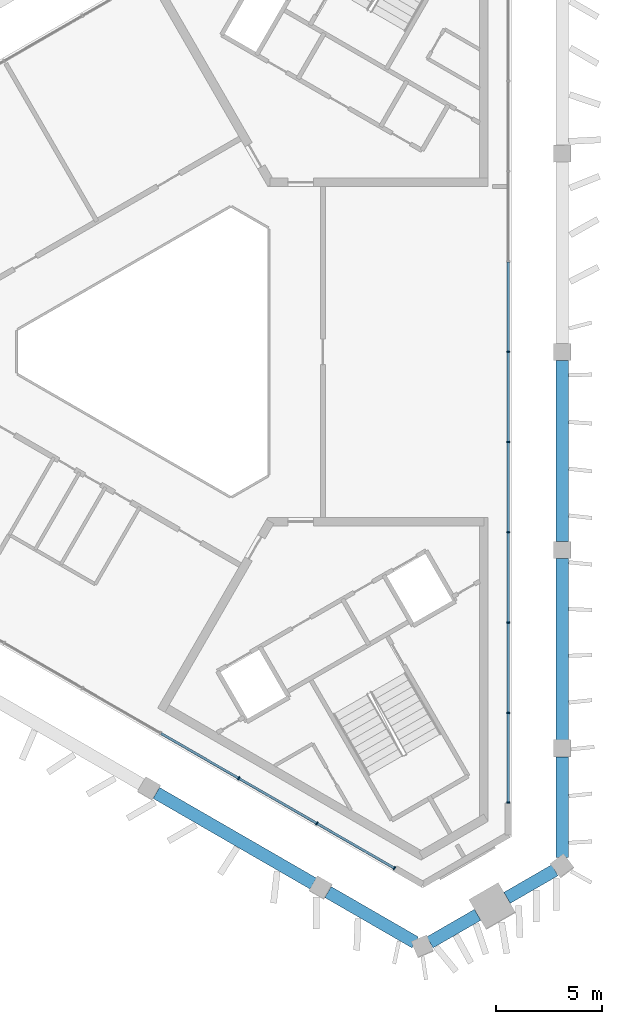
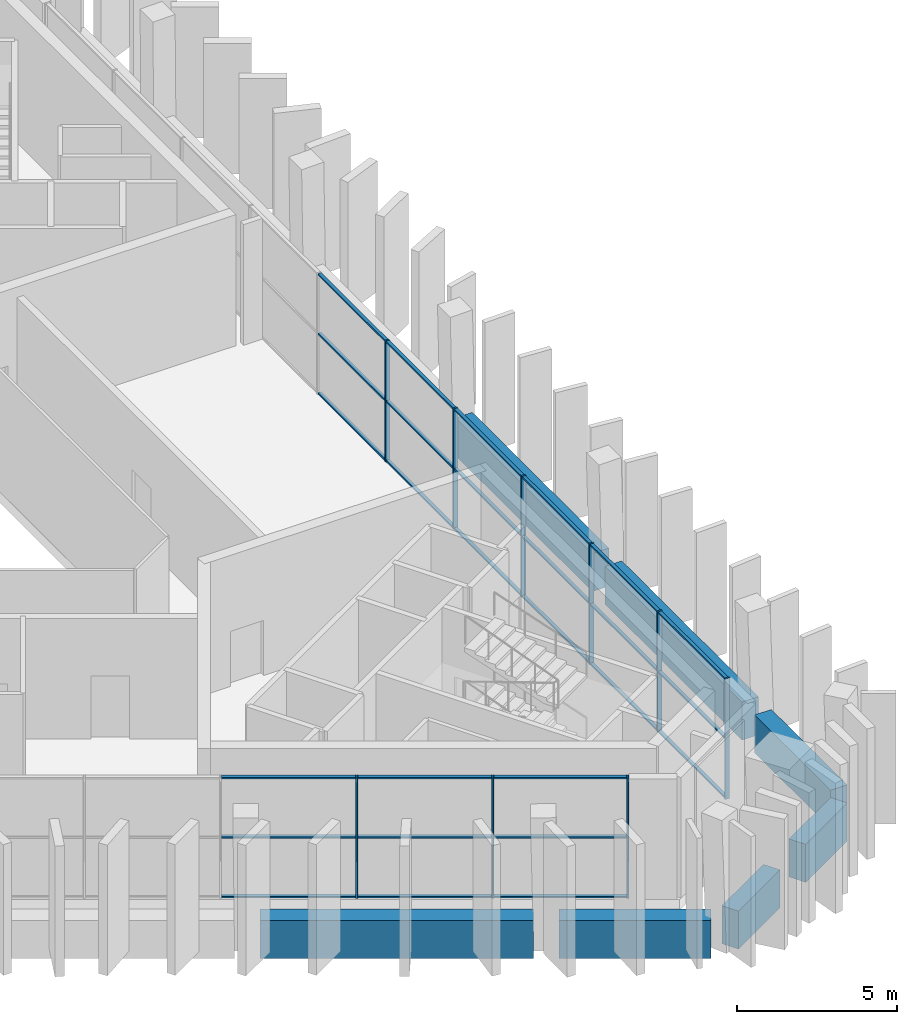
# One storey, part 4 of 13: 36 members, 7 beams, 2 elements without a shape of their own.
"""IFC4 building model written with IfcOpenShell, lengths in metres."""

import ifcopenshell
import ifcopenshell.guid

model = None  # the IFC model being written
_history = None  # IfcOwnerHistory: only IFC2X3 demands one
_inside = {}  # id of a spatial element -> (the spatial element, [elements in it])
_under = {}  # id of a project, library or spatial element -> (it, [spatial elements below it])
_declared = {}  # id of a project -> (the project, [libraries it declares])
_typed = {}  # id of a type object -> (the type object, [elements of that type])
_made_of = {}  # id of a material, layer set ... -> (it, [elements and type objects made of it])


def new_model(schema):
    """Start an empty IFC model of exactly this schema.

    Asked for "IFC4X3", IfcOpenShell would pick the latest addendum, in which some entities
    have other attributes; the version numbers below select the first issue.
    IFC2X3 requires an IfcOwnerHistory on every rooted entity: one is made here for all.
    """
    global model, _history
    if schema == "IFC4X3":
        model = ifcopenshell.file(schema_version=(4, 3, 0, 0))
    else:
        model = ifcopenshell.file(schema=schema)
    _inside.clear()
    _under.clear()
    _declared.clear()
    _typed.clear()
    _made_of.clear()
    _history = None
    if model.schema == "IFC2X3":
        org = make("IfcOrganization", Name="unknown")
        user = make(
            "IfcPersonAndOrganization",
            ThePerson=make("IfcPerson", FamilyName="unknown"),
            TheOrganization=org,
        )
        app = make(
            "IfcApplication",
            ApplicationDeveloper=org,
            Version="unknown",
            ApplicationFullName="unknown",
            ApplicationIdentifier="unknown",
        )
        _history = make(
            "IfcOwnerHistory",
            OwningUser=user,
            OwningApplication=app,
            ChangeAction="ADDED",
            CreationDate=0,
        )
    return model


def make(cls, **values):
    """One entity of the class cls with the attributes given. An attribute that is None is left unset."""
    return model.create_entity(
        cls, **{name: value for name, value in values.items() if value is not None}
    )


def rooted(cls, **values):
    """An entity with a GlobalId (a new one), such as an element, a storey or a relation."""
    return make(cls, GlobalId=ifcopenshell.guid.new(), OwnerHistory=_history, **values)


def si_unit(unit_type, name, prefix=None):
    """IfcSIUnit, for example si_unit("LENGTHUNIT", "METRE", prefix="MILLI")."""
    return make("IfcSIUnit", UnitType=unit_type, Prefix=prefix, Name=name)


def assignment(units):
    """IfcUnitAssignment: the units of a project."""
    return None if units is None else make("IfcUnitAssignment", Units=units)


def point(xyz):
    """IfcCartesianPoint."""
    return None if xyz is None else make("IfcCartesianPoint", Coordinates=xyz)


def direction(xyz):
    """IfcDirection."""
    return None if xyz is None else make("IfcDirection", DirectionRatios=xyz)


def frame(location, z_axis=None, x_axis=None):
    """IfcAxis2Placement3D, a coordinate frame: its origin and axes. An axis left out is left unset."""
    return make(
        "IfcAxis2Placement3D",
        Location=point(location),
        Axis=direction(z_axis),
        RefDirection=direction(x_axis),
    )


def frame_2d(location, x_axis=None):
    """IfcAxis2Placement2D, a coordinate frame in the plane: its origin and x axis."""
    return make(
        "IfcAxis2Placement2D", Location=point(location), RefDirection=direction(x_axis)
    )


def origin():
    """The frame at (0, 0, 0) with its axes left unset."""
    return frame((0.0, 0.0, 0.0))


def origin_2d():
    """The frame at (0, 0) in the plane with its x axis left unset."""
    return frame_2d((0.0, 0.0))


def place(relative_to, where):
    """IfcLocalPlacement: puts the frame where relative to a parent placement (None: the world)."""
    return make(
        "IfcLocalPlacement", PlacementRelTo=relative_to, RelativePlacement=where
    )


def context(
    kind, dimensions, precision=None, world=None, true_north=None, identifier=None
):
    """IfcGeometricRepresentationContext, for example the 3D "Model" context."""
    return make(
        "IfcGeometricRepresentationContext",
        ContextIdentifier=identifier,
        ContextType=kind,
        CoordinateSpaceDimension=dimensions,
        Precision=precision,
        WorldCoordinateSystem=world,
        TrueNorth=true_north,
    )


def subcontext(parent, identifier, kind, view, scale=None):
    """IfcGeometricRepresentationSubContext, for example "Body" below "Model"."""
    return make(
        "IfcGeometricRepresentationSubContext",
        ContextIdentifier=identifier,
        ContextType=kind,
        ParentContext=parent,
        TargetScale=scale,
        TargetView=view,
    )


def project(units=None, contexts=None):
    """IfcProject with its units and contexts."""
    return rooted(
        "IfcProject",
        Name="project",
        RepresentationContexts=contexts,
        UnitsInContext=assignment(units),
    )


def spatial(cls, under=None, at=None, **own):
    """A site, building, storey or space (cls), placed at a placement, below another one or the project."""
    s = rooted(cls, ObjectPlacement=at, **own)
    if under is not None:
        _under.setdefault(under.id(), (under, []))[1].append(s)
    return s


def profile(cls, at=None, kind="AREA", **sizes):
    """A parametric profile (cls). Its sizes go by their IFC names, for example OverallWidth=200.0."""
    return make(cls, ProfileType=kind, Position=at, **sizes)


def rectangle(**sizes):
    """IfcRectangleProfileDef."""
    return profile("IfcRectangleProfileDef", **sizes)


def extrude(swept, where, along, depth):
    """IfcExtrudedAreaSolid: the profile swept, set in the frame where, extruded along a direction by depth."""
    return make(
        "IfcExtrudedAreaSolid",
        SweptArea=swept,
        Position=where,
        ExtrudedDirection=direction(along),
        Depth=depth,
    )


def shape(context_of_items, identifier, shape_type, items):
    """IfcShapeRepresentation: the items that make up one representation, for example the "Body"."""
    return make(
        "IfcShapeRepresentation",
        ContextOfItems=context_of_items,
        RepresentationIdentifier=identifier,
        RepresentationType=shape_type,
        Items=items,
    )


def material(Name=None, Category=None):
    """IfcMaterial."""
    return make("IfcMaterial", Name=Name, Category=Category)


def layer(
    of_material, thickness, ventilated=None, Name=None, Category=None, Priority=None
):
    """IfcMaterialLayer: one layer of a wall or slab, of a material (None: an air gap)."""
    return make(
        "IfcMaterialLayer",
        Material=of_material,
        LayerThickness=thickness,
        IsVentilated=ventilated,
        Name=Name,
        Category=Category,
        Priority=Priority,
    )


def layer_set(layers, Name=None):
    """IfcMaterialLayerSet."""
    return make("IfcMaterialLayerSet", MaterialLayers=layers, LayerSetName=Name)


def material_profile(
    of_material, cross_section, Name=None, Category=None, Priority=None
):
    """IfcMaterialProfile: a cross section and its material."""
    return make(
        "IfcMaterialProfile",
        Name=Name,
        Material=of_material,
        Profile=cross_section,
        Priority=Priority,
        Category=Category,
    )


def profile_set(profiles, Name=None, composite=None):
    """IfcMaterialProfileSet."""
    return make(
        "IfcMaterialProfileSet",
        Name=Name,
        MaterialProfiles=profiles,
        CompositeProfile=composite,
    )


def made_of(thing, what):
    """Note that an element or type object is made of a material, layer set ...; save() writes the relation."""
    if what is not None:
        _made_of.setdefault(what.id(), (what, []))[1].append(thing)
    return thing


def type_object(cls, material=None, **own):
    """A type object (cls), such as IfcWallType, which elements share."""
    return made_of(rooted(cls, **own), material)


def element(
    cls,
    number,
    at=None,
    inside=None,
    cuts=None,
    type_object=None,
    material=None,
    context=None,
    identifier="Body",
    shape_type=None,
    held_by="IfcProductDefinitionShape",
    body=None,
    shapes=None,
    **own,
):
    """One element of the class cls, such as IfcWall. Its Tag is "e" and its number.

    at: its placement. inside: the storey or other place that contains it. cuts: it is an
    opening in that element (IfcRelVoidsElement). A single representation is given by context,
    identifier, shape_type and body (its items); several are given by shapes. held_by: the class
    of the entity that holds the representations. save() writes the other relations.
    """
    e = rooted(cls, Tag="e%d" % number, ObjectPlacement=at, **own)
    if body is not None:
        shapes = [shape(context, identifier, shape_type, body)]
    if shapes is not None:
        e.Representation = make(held_by, Representations=shapes)
    if inside is not None:
        _inside.setdefault(inside.id(), (inside, []))[1].append(e)
    if cuts is not None:
        rooted(
            "IfcRelVoidsElement", RelatingBuildingElement=cuts, RelatedOpeningElement=e
        )
    if type_object is not None:
        _typed.setdefault(type_object.id(), (type_object, []))[1].append(e)
    return made_of(e, material)


def aggregate(whole, parts):
    """IfcRelAggregates: a whole, such as a stair, and the parts it consists of."""
    return rooted("IfcRelAggregates", RelatingObject=whole, RelatedObjects=parts)


def save(model, path):
    """Write the relations noted so far, then the file.

    IfcRelAggregates (storeys below a building ...), IfcRelContainedInSpatialStructure (elements
    in a storey), IfcRelDefinesByType, IfcRelAssociatesMaterial and IfcRelDeclares: one each for
    every whole, place, type object, material and project.
    """
    for whole, parts in _under.values():
        aggregate(whole, parts)
    for where, things in _inside.values():
        rooted(
            "IfcRelContainedInSpatialStructure",
            RelatedElements=things,
            RelatingStructure=where,
        )
    for kind, things in _typed.values():
        rooted("IfcRelDefinesByType", RelatedObjects=things, RelatingType=kind)
    for what, things in _made_of.values():
        rooted("IfcRelAssociatesMaterial", RelatedObjects=things, RelatingMaterial=what)
    for by, libraries in _declared.values():
        rooted("IfcRelDeclares", RelatingContext=by, RelatedDefinitions=libraries)
    model.write(path)


model = new_model("IFC4")

# Units and contexts
model_context = context("Model", 3, precision=1e-05, world=origin(), true_north=direction((0.0, 1.0)))
body_context = subcontext(model_context, "Body", "Model", "MODEL_VIEW")
ifc_project = project(units=[si_unit("LENGTHUNIT", "METRE"), si_unit("AREAUNIT", "SQUARE_METRE"), si_unit("VOLUMEUNIT", "CUBIC_METRE"), si_unit("PLANEANGLEUNIT", "RADIAN"), si_unit("MASSUNIT", "GRAM", prefix="KILO")], contexts=[model_context])

# Site, building, storey
site_placement = place(None, origin())
site = spatial("IfcSite", under=ifc_project, at=site_placement, CompositionType="ELEMENT")
building_placement = place(site_placement, origin())
building = spatial("IfcBuilding", under=site, at=building_placement, Name="Jabali Bay Hotel Tower and Convention Centre", CompositionType="ELEMENT")
storey_placement = place(building_placement, frame((0.0, 0.0, 310.800048828125)))
storey = spatial("IfcBuildingStorey", under=building, at=storey_placement, Name="L76", CompositionType="ELEMENT", Elevation=310.800048828125)

# Curtain wall, members
ifc_material_1 = material(Name="Aluminium and glass", Category="aluminium")
ifc_layer = layer(ifc_material_1, 0.159912109375)
ifc_layer_set = layer_set([ifc_layer], Name="Aluminium and glass")
curtain_wall_type = type_object("IfcCurtainWallType", Name="CW3 curtain wall", PredefinedType="NOTDEFINED", material=ifc_layer_set)
curtain_wall_1_placement = place(storey_placement, origin())
curtain_wall_1 = element("IfcCurtainWall", 1, at=curtain_wall_1_placement, inside=storey, type_object=curtain_wall_type, Name="CW3 curtain wall east face L76", PredefinedType="NOTDEFINED")
ifc_material_2 = material(Name="Aluminium", Category="aluminium")
ifc_material_profile_1 = material_profile(ifc_material_2, rectangle(XDim=0.159912109375, YDim=0.06005859375, at=origin_2d()), Name="CW3 mullion 60 x 160")
ifc_profile_set_1 = profile_set([ifc_material_profile_1], Name="Aluminium")
member_type_1 = type_object("IfcMemberType", Name="CW3 mullion 60 x 160", PredefinedType="MULLION", material=ifc_profile_set_1)
member_1_placement = place(storey_placement, frame((90.8310546875, 80.0, 0.0), z_axis=(0.0, 0.0, 1.0), x_axis=(1.0, 0.0, 0.0)))
member_1 = element("IfcMember", 2, at=member_1_placement, type_object=member_type_1, Name="CW3 mullion 6", PredefinedType="MULLION", context=body_context, shape_type="SweptSolid", body=[
    extrude(rectangle(XDim=0.159912109375, YDim=0.06005859375, at=origin_2d()), origin(), (0.0, 0.0, 1.0), 4.599853515625),
])
member_2_placement = place(storey_placement, frame((90.8310546875, 75.747314453125, 0.0), z_axis=(0.0, 0.0, 1.0), x_axis=(1.0, 0.0, 0.0)))
member_2 = element("IfcMember", 3, at=member_2_placement, type_object=member_type_1, Name="CW3 mullion 7", PredefinedType="MULLION", context=body_context, shape_type="SweptSolid", body=[
    extrude(rectangle(XDim=0.159912109375, YDim=0.06005859375, at=origin_2d()), origin(), (0.0, 0.0, 1.0), 4.599853515625),
])
member_3_placement = place(storey_placement, frame((90.8310546875, 71.49462890625, 0.0), z_axis=(0.0, 0.0, 1.0), x_axis=(1.0, 0.0, 0.0)))
member_3 = element("IfcMember", 4, at=member_3_placement, type_object=member_type_1, Name="CW3 mullion 8", PredefinedType="MULLION", context=body_context, shape_type="SweptSolid", body=[
    extrude(rectangle(XDim=0.159912109375, YDim=0.06005859375, at=origin_2d()), origin(), (0.0, 0.0, 1.0), 4.599853515625),
])
member_4_placement = place(storey_placement, frame((90.8310546875, 67.241943359375, 0.0), z_axis=(0.0, 0.0, 1.0), x_axis=(1.0, 0.0, 0.0)))
member_4 = element("IfcMember", 5, at=member_4_placement, type_object=member_type_1, Name="CW3 mullion 9", PredefinedType="MULLION", context=body_context, shape_type="SweptSolid", body=[
    extrude(rectangle(XDim=0.159912109375, YDim=0.06005859375, at=origin_2d()), origin(), (0.0, 0.0, 1.0), 4.599853515625),
])
member_5_placement = place(storey_placement, frame((90.8310546875, 62.9892578125, 0.0), z_axis=(0.0, 0.0, 1.0), x_axis=(1.0, 0.0, 0.0)))
member_5 = element("IfcMember", 6, at=member_5_placement, type_object=member_type_1, Name="CW3 mullion 10", PredefinedType="MULLION", context=body_context, shape_type="SweptSolid", body=[
    extrude(rectangle(XDim=0.159912109375, YDim=0.06005859375, at=origin_2d()), origin(), (0.0, 0.0, 1.0), 4.599853515625),
])
member_6_placement = place(storey_placement, frame((90.8310546875, 58.7666015625, 0.0), z_axis=(0.0, 0.0, 1.0), x_axis=(1.0, 0.0, 0.0)))
member_6 = element("IfcMember", 7, at=member_6_placement, type_object=member_type_1, Name="CW3 mullion 11", PredefinedType="MULLION", context=body_context, shape_type="SweptSolid", body=[
    extrude(rectangle(XDim=0.159912109375, YDim=0.06005859375, at=origin_2d()), origin(), (0.0, 0.0, 1.0), 4.599853515625),
])

curtain_wall_2_placement = place(storey_placement, origin())
curtain_wall_2 = element("IfcCurtainWall", 8, at=curtain_wall_2_placement, inside=storey, type_object=curtain_wall_type, Name="CW3 curtain wall south-west face L76", PredefinedType="NOTDEFINED")
member_7_placement = place(storey_placement, frame((85.47314453125, 55.67333984375, 0.0), z_axis=(0.0, 0.0, 1.0), x_axis=(-0.5, -0.866025403784, 0.0)))
member_7 = element("IfcMember", 9, at=member_7_placement, type_object=member_type_1, Name="CW3 mullion 1", PredefinedType="MULLION", context=body_context, shape_type="SweptSolid", body=[
    extrude(rectangle(XDim=0.159912109375, YDim=0.06005859375, at=origin_2d()), origin(), (0.0, 0.0, 1.0), 4.599853515625),
])
member_8_placement = place(storey_placement, frame((81.81640625, 57.78466796875, 0.0), z_axis=(0.0, 0.0, 1.0), x_axis=(-0.5, -0.866025403784, 0.0)))
member_8 = element("IfcMember", 10, at=member_8_placement, type_object=member_type_1, Name="CW3 mullion 2", PredefinedType="MULLION", context=body_context, shape_type="SweptSolid", body=[
    extrude(rectangle(XDim=0.159912109375, YDim=0.06005859375, at=origin_2d()), origin(), (0.0, 0.0, 1.0), 4.599853515625),
])
member_9_placement = place(storey_placement, frame((78.13330078125, 59.910888671875, 0.0), z_axis=(0.0, 0.0, 1.0), x_axis=(-0.5, -0.866025403784, 0.0)))
member_9 = element("IfcMember", 11, at=member_9_placement, type_object=member_type_1, Name="CW3 mullion 3", PredefinedType="MULLION", context=body_context, shape_type="SweptSolid", body=[
    extrude(rectangle(XDim=0.159912109375, YDim=0.06005859375, at=origin_2d()), origin(), (0.0, 0.0, 1.0), 4.599853515625),
])

# Member
ifc_material_profile_2 = material_profile(ifc_material_2, rectangle(XDim=0.1201171875, YDim=0.06005859375, at=origin_2d()), Name="CW3 transom 60 x 120")
ifc_profile_set_2 = profile_set([ifc_material_profile_2], Name="Aluminium")
member_type_2 = type_object("IfcMemberType", Name="CW3 transom 60 x 120", PredefinedType="USERDEFINED", material=ifc_profile_set_2)
member_10_placement = place(storey_placement, frame((90.8310546875, 84.22265625, 0.030029296875), z_axis=(0.0, -1.0, 0.0), x_axis=(1.0, 0.0, 0.0)))
member_10 = element("IfcMember", 12, at=member_10_placement, type_object=member_type_2, Name="CW3 transom 5.1", ObjectType="TRANSOM", PredefinedType="USERDEFINED", context=body_context, shape_type="SweptSolid", body=[
    extrude(rectangle(XDim=0.1201171875, YDim=0.06005859375, at=origin_2d()), origin(), (0.0, 0.0, 1.0), 4.192626953125),
])

member_11_placement = place(storey_placement, frame((90.8310546875, 84.22265625, 2.300048828125), z_axis=(0.0, -1.0, 0.0), x_axis=(1.0, 0.0, 0.0)))
member_11 = element("IfcMember", 13, at=member_11_placement, type_object=member_type_2, Name="CW3 transom 5.2", ObjectType="TRANSOM", PredefinedType="USERDEFINED", context=body_context, shape_type="SweptSolid", body=[
    extrude(rectangle(XDim=0.1201171875, YDim=0.06005859375, at=origin_2d()), origin(), (0.0, 0.0, 1.0), 4.192626953125),
])

member_12_placement = place(storey_placement, frame((90.8310546875, 84.22265625, 4.570068359375), z_axis=(0.0, -1.0, 0.0), x_axis=(1.0, 0.0, 0.0)))
member_12 = element("IfcMember", 14, at=member_12_placement, type_object=member_type_2, Name="CW3 transom 5.3", ObjectType="TRANSOM", PredefinedType="USERDEFINED", context=body_context, shape_type="SweptSolid", body=[
    extrude(rectangle(XDim=0.1201171875, YDim=0.06005859375, at=origin_2d()), origin(), (0.0, 0.0, 1.0), 4.192626953125),
])

member_13_placement = place(storey_placement, frame((90.8310546875, 79.969970703125, 0.030029296875), z_axis=(0.0, -1.0, 0.0), x_axis=(1.0, 0.0, 0.0)))
member_13 = element("IfcMember", 15, at=member_13_placement, type_object=member_type_2, Name="CW3 transom 6.1", ObjectType="TRANSOM", PredefinedType="USERDEFINED", context=body_context, shape_type="SweptSolid", body=[
    extrude(rectangle(XDim=0.1201171875, YDim=0.06005859375, at=origin_2d()), origin(), (0.0, 0.0, 1.0), 4.192626953125),
])

member_14_placement = place(storey_placement, frame((90.8310546875, 79.969970703125, 2.300048828125), z_axis=(0.0, -1.0, 0.0), x_axis=(1.0, 0.0, 0.0)))
member_14 = element("IfcMember", 16, at=member_14_placement, type_object=member_type_2, Name="CW3 transom 6.2", ObjectType="TRANSOM", PredefinedType="USERDEFINED", context=body_context, shape_type="SweptSolid", body=[
    extrude(rectangle(XDim=0.1201171875, YDim=0.06005859375, at=origin_2d()), origin(), (0.0, 0.0, 1.0), 4.192626953125),
])

member_15_placement = place(storey_placement, frame((90.8310546875, 79.969970703125, 4.570068359375), z_axis=(0.0, -1.0, 0.0), x_axis=(1.0, 0.0, 0.0)))
member_15 = element("IfcMember", 17, at=member_15_placement, type_object=member_type_2, Name="CW3 transom 6.3", ObjectType="TRANSOM", PredefinedType="USERDEFINED", context=body_context, shape_type="SweptSolid", body=[
    extrude(rectangle(XDim=0.1201171875, YDim=0.06005859375, at=origin_2d()), origin(), (0.0, 0.0, 1.0), 4.192626953125),
])

member_16_placement = place(storey_placement, frame((90.8310546875, 75.71728515625, 0.030029296875), z_axis=(0.0, -1.0, 0.0), x_axis=(1.0, 0.0, 0.0)))
member_16 = element("IfcMember", 18, at=member_16_placement, type_object=member_type_2, Name="CW3 transom 7.1", ObjectType="TRANSOM", PredefinedType="USERDEFINED", context=body_context, shape_type="SweptSolid", body=[
    extrude(rectangle(XDim=0.1201171875, YDim=0.06005859375, at=origin_2d()), origin(), (0.0, 0.0, 1.0), 4.192626953125),
])

member_17_placement = place(storey_placement, frame((90.8310546875, 75.71728515625, 2.300048828125), z_axis=(0.0, -1.0, 0.0), x_axis=(1.0, 0.0, 0.0)))
member_17 = element("IfcMember", 19, at=member_17_placement, type_object=member_type_2, Name="CW3 transom 7.2", ObjectType="TRANSOM", PredefinedType="USERDEFINED", context=body_context, shape_type="SweptSolid", body=[
    extrude(rectangle(XDim=0.1201171875, YDim=0.06005859375, at=origin_2d()), origin(), (0.0, 0.0, 1.0), 4.192626953125),
])

member_18_placement = place(storey_placement, frame((90.8310546875, 75.71728515625, 4.570068359375), z_axis=(0.0, -1.0, 0.0), x_axis=(1.0, 0.0, 0.0)))
member_18 = element("IfcMember", 20, at=member_18_placement, type_object=member_type_2, Name="CW3 transom 7.3", ObjectType="TRANSOM", PredefinedType="USERDEFINED", context=body_context, shape_type="SweptSolid", body=[
    extrude(rectangle(XDim=0.1201171875, YDim=0.06005859375, at=origin_2d()), origin(), (0.0, 0.0, 1.0), 4.192626953125),
])

member_19_placement = place(storey_placement, frame((90.8310546875, 71.464599609375, 0.030029296875), z_axis=(0.0, -1.0, 0.0), x_axis=(1.0, 0.0, 0.0)))
member_19 = element("IfcMember", 21, at=member_19_placement, type_object=member_type_2, Name="CW3 transom 8.1", ObjectType="TRANSOM", PredefinedType="USERDEFINED", context=body_context, shape_type="SweptSolid", body=[
    extrude(rectangle(XDim=0.1201171875, YDim=0.06005859375, at=origin_2d()), origin(), (0.0, 0.0, 1.0), 4.192626953125),
])

member_20_placement = place(storey_placement, frame((90.8310546875, 71.464599609375, 2.300048828125), z_axis=(0.0, -1.0, 0.0), x_axis=(1.0, 0.0, 0.0)))
member_20 = element("IfcMember", 22, at=member_20_placement, type_object=member_type_2, Name="CW3 transom 8.2", ObjectType="TRANSOM", PredefinedType="USERDEFINED", context=body_context, shape_type="SweptSolid", body=[
    extrude(rectangle(XDim=0.1201171875, YDim=0.06005859375, at=origin_2d()), origin(), (0.0, 0.0, 1.0), 4.192626953125),
])

member_21_placement = place(storey_placement, frame((90.8310546875, 71.464599609375, 4.570068359375), z_axis=(0.0, -1.0, 0.0), x_axis=(1.0, 0.0, 0.0)))
member_21 = element("IfcMember", 23, at=member_21_placement, type_object=member_type_2, Name="CW3 transom 8.3", ObjectType="TRANSOM", PredefinedType="USERDEFINED", context=body_context, shape_type="SweptSolid", body=[
    extrude(rectangle(XDim=0.1201171875, YDim=0.06005859375, at=origin_2d()), origin(), (0.0, 0.0, 1.0), 4.192626953125),
])

member_22_placement = place(storey_placement, frame((90.8310546875, 67.2119140625, 0.030029296875), z_axis=(0.0, -1.0, 0.0), x_axis=(1.0, 0.0, 0.0)))
member_22 = element("IfcMember", 24, at=member_22_placement, type_object=member_type_2, Name="CW3 transom 9.1", ObjectType="TRANSOM", PredefinedType="USERDEFINED", context=body_context, shape_type="SweptSolid", body=[
    extrude(rectangle(XDim=0.1201171875, YDim=0.06005859375, at=origin_2d()), origin(), (0.0, 0.0, 1.0), 4.192626953125),
])

member_23_placement = place(storey_placement, frame((90.8310546875, 67.2119140625, 2.300048828125), z_axis=(0.0, -1.0, 0.0), x_axis=(1.0, 0.0, 0.0)))
member_23 = element("IfcMember", 25, at=member_23_placement, type_object=member_type_2, Name="CW3 transom 9.2", ObjectType="TRANSOM", PredefinedType="USERDEFINED", context=body_context, shape_type="SweptSolid", body=[
    extrude(rectangle(XDim=0.1201171875, YDim=0.06005859375, at=origin_2d()), origin(), (0.0, 0.0, 1.0), 4.192626953125),
])

member_24_placement = place(storey_placement, frame((90.8310546875, 67.2119140625, 4.570068359375), z_axis=(0.0, -1.0, 0.0), x_axis=(1.0, 0.0, 0.0)))
member_24 = element("IfcMember", 26, at=member_24_placement, type_object=member_type_2, Name="CW3 transom 9.3", ObjectType="TRANSOM", PredefinedType="USERDEFINED", context=body_context, shape_type="SweptSolid", body=[
    extrude(rectangle(XDim=0.1201171875, YDim=0.06005859375, at=origin_2d()), origin(), (0.0, 0.0, 1.0), 4.192626953125),
])

member_25_placement = place(storey_placement, frame((90.8310546875, 62.959228515625, 0.030029296875), z_axis=(0.0, -1.0, 0.0), x_axis=(1.0, 0.0, 0.0)))
member_25 = element("IfcMember", 27, at=member_25_placement, type_object=member_type_2, Name="CW3 transom 10.1", ObjectType="TRANSOM", PredefinedType="USERDEFINED", context=body_context, shape_type="SweptSolid", body=[
    extrude(rectangle(XDim=0.1201171875, YDim=0.06005859375, at=origin_2d()), origin(), (0.0, 0.0, 1.0), 4.16259765625),
])

member_26_placement = place(storey_placement, frame((90.8310546875, 62.959228515625, 2.300048828125), z_axis=(0.0, -1.0, 0.0), x_axis=(1.0, 0.0, 0.0)))
member_26 = element("IfcMember", 28, at=member_26_placement, type_object=member_type_2, Name="CW3 transom 10.2", ObjectType="TRANSOM", PredefinedType="USERDEFINED", context=body_context, shape_type="SweptSolid", body=[
    extrude(rectangle(XDim=0.1201171875, YDim=0.06005859375, at=origin_2d()), origin(), (0.0, 0.0, 1.0), 4.16259765625),
])

member_27_placement = place(storey_placement, frame((90.8310546875, 62.959228515625, 4.570068359375), z_axis=(0.0, -1.0, 0.0), x_axis=(1.0, 0.0, 0.0)))
member_27 = element("IfcMember", 29, at=member_27_placement, type_object=member_type_2, Name="CW3 transom 10.3", ObjectType="TRANSOM", PredefinedType="USERDEFINED", context=body_context, shape_type="SweptSolid", body=[
    extrude(rectangle(XDim=0.1201171875, YDim=0.06005859375, at=origin_2d()), origin(), (0.0, 0.0, 1.0), 4.16259765625),
])

aggregate(curtain_wall_1, [member_1, member_2, member_3, member_4, member_5, member_6, member_10, member_11, member_12, member_13, member_14, member_15, member_16, member_17, member_18, member_19, member_20, member_21, member_22, member_23, member_24, member_25, member_26, member_27])

member_28_placement = place(storey_placement, frame((85.447265625, 55.688232421875, 0.030029296875), z_axis=(-0.866029316688, 0.49999322259, 0.0), x_axis=(-0.49999322259, -0.866029316688, 0.0)))
member_28 = element("IfcMember", 30, at=member_28_placement, type_object=member_type_2, Name="CW3 transom 1.1", ObjectType="TRANSOM", PredefinedType="USERDEFINED", context=body_context, shape_type="SweptSolid", body=[
    extrude(rectangle(XDim=0.1201171875, YDim=0.06005859375, at=origin_2d()), origin(), (0.0, 0.0, 1.0), 4.16259765625),
])

member_29_placement = place(storey_placement, frame((85.447265625, 55.688232421875, 2.300048828125), z_axis=(-0.866029316688, 0.49999322259, 0.0), x_axis=(-0.49999322259, -0.866029316688, 0.0)))
member_29 = element("IfcMember", 31, at=member_29_placement, type_object=member_type_2, Name="CW3 transom 1.2", ObjectType="TRANSOM", PredefinedType="USERDEFINED", context=body_context, shape_type="SweptSolid", body=[
    extrude(rectangle(XDim=0.1201171875, YDim=0.06005859375, at=origin_2d()), origin(), (0.0, 0.0, 1.0), 4.16259765625),
])

member_30_placement = place(storey_placement, frame((85.447265625, 55.688232421875, 4.570068359375), z_axis=(-0.866029316688, 0.49999322259, 0.0), x_axis=(-0.49999322259, -0.866029316688, 0.0)))
member_30 = element("IfcMember", 32, at=member_30_placement, type_object=member_type_2, Name="CW3 transom 1.3", ObjectType="TRANSOM", PredefinedType="USERDEFINED", context=body_context, shape_type="SweptSolid", body=[
    extrude(rectangle(XDim=0.1201171875, YDim=0.06005859375, at=origin_2d()), origin(), (0.0, 0.0, 1.0), 4.16259765625),
])

member_31_placement = place(storey_placement, frame((81.790283203125, 57.799560546875, 0.030029296875), z_axis=(-0.866009094545, 0.500028247368, 0.0), x_axis=(-0.500028247368, -0.866009094545, 0.0)))
member_31 = element("IfcMember", 33, at=member_31_placement, type_object=member_type_2, Name="CW3 transom 2.1", ObjectType="TRANSOM", PredefinedType="USERDEFINED", context=body_context, shape_type="SweptSolid", body=[
    extrude(rectangle(XDim=0.1201171875, YDim=0.06005859375, at=origin_2d()), origin(), (0.0, 0.0, 1.0), 4.192626953125),
])

member_32_placement = place(storey_placement, frame((81.790283203125, 57.799560546875, 2.300048828125), z_axis=(-0.866009094545, 0.500028247368, 0.0), x_axis=(-0.500028247368, -0.866009094545, 0.0)))
member_32 = element("IfcMember", 34, at=member_32_placement, type_object=member_type_2, Name="CW3 transom 2.2", ObjectType="TRANSOM", PredefinedType="USERDEFINED", context=body_context, shape_type="SweptSolid", body=[
    extrude(rectangle(XDim=0.1201171875, YDim=0.06005859375, at=origin_2d()), origin(), (0.0, 0.0, 1.0), 4.192626953125),
])

member_33_placement = place(storey_placement, frame((81.790283203125, 57.799560546875, 4.570068359375), z_axis=(-0.866009094545, 0.500028247368, 0.0), x_axis=(-0.500028247368, -0.866009094545, 0.0)))
member_33 = element("IfcMember", 35, at=member_33_placement, type_object=member_type_2, Name="CW3 transom 2.3", ObjectType="TRANSOM", PredefinedType="USERDEFINED", context=body_context, shape_type="SweptSolid", body=[
    extrude(rectangle(XDim=0.1201171875, YDim=0.06005859375, at=origin_2d()), origin(), (0.0, 0.0, 1.0), 4.192626953125),
])

member_34_placement = place(storey_placement, frame((78.107421875, 59.926025390625, 0.030029296875), z_axis=(-0.866048865957, 0.499959360123, 0.0), x_axis=(-0.499959360123, -0.866048865957, 0.0)))
member_34 = element("IfcMember", 36, at=member_34_placement, type_object=member_type_2, Name="CW3 transom 3.1", ObjectType="TRANSOM", PredefinedType="USERDEFINED", context=body_context, shape_type="SweptSolid", body=[
    extrude(rectangle(XDim=0.1201171875, YDim=0.06005859375, at=origin_2d()), origin(), (0.0, 0.0, 1.0), 4.192626953125),
])

member_35_placement = place(storey_placement, frame((78.107421875, 59.926025390625, 2.300048828125), z_axis=(-0.866048865957, 0.499959360123, 0.0), x_axis=(-0.499959360123, -0.866048865957, 0.0)))
member_35 = element("IfcMember", 37, at=member_35_placement, type_object=member_type_2, Name="CW3 transom 3.2", ObjectType="TRANSOM", PredefinedType="USERDEFINED", context=body_context, shape_type="SweptSolid", body=[
    extrude(rectangle(XDim=0.1201171875, YDim=0.06005859375, at=origin_2d()), origin(), (0.0, 0.0, 1.0), 4.192626953125),
])

member_36_placement = place(storey_placement, frame((78.107421875, 59.926025390625, 4.570068359375), z_axis=(-0.866048865957, 0.499959360123, 0.0), x_axis=(-0.499959360123, -0.866048865957, 0.0)))
member_36 = element("IfcMember", 38, at=member_36_placement, type_object=member_type_2, Name="CW3 transom 3.3", ObjectType="TRANSOM", PredefinedType="USERDEFINED", context=body_context, shape_type="SweptSolid", body=[
    extrude(rectangle(XDim=0.1201171875, YDim=0.06005859375, at=origin_2d()), origin(), (0.0, 0.0, 1.0), 4.192626953125),
])

aggregate(curtain_wall_2, [member_7, member_8, member_9, member_28, member_29, member_30, member_31, member_32, member_33, member_34, member_35, member_36])

# Beams
ifc_material_3 = material(Name="Concrete C60", Category="concrete")
ifc_material_profile_3 = material_profile(ifc_material_3, rectangle(XDim=0.60009765625, YDim=1.449951171875, at=origin_2d()), Name="Spandrel 600x1450")
ifc_profile_set_3 = profile_set([ifc_material_profile_3], Name="Concrete C60")
beam_type = type_object("IfcBeamType", Name="Spandrel 600x1450", PredefinedType="SPANDREL", material=ifc_profile_set_3)
beam_1_placement = place(storey_placement, frame((74.24951171875, 59.217529296875, 0.375), z_axis=(0.866027084608, -0.499997088717, 0.0), x_axis=(0.499997088717, 0.866027084608, 0.0)))
element("IfcBeam", 39, at=beam_1_placement, inside=storey, type_object=beam_type, Name="Spandrel F2.4-F2.5 L76", PredefinedType="SPANDREL", context=body_context, shape_type="SweptSolid", body=[
    extrude(rectangle(XDim=0.60009765625, YDim=1.449951171875, at=origin_2d()), origin(), (0.0, 0.0, 1.0), 8.54150390625),
])
beam_2_placement = place(storey_placement, frame((82.339599609375, 54.546875, 0.375), z_axis=(0.866016684239, -0.500015102392, 0.0), x_axis=(0.500015102392, 0.866016684239, 0.0)))
element("IfcBeam", 40, at=beam_2_placement, inside=storey, type_object=beam_type, Name="Spandrel F2.5-V5 L76", PredefinedType="SPANDREL", context=body_context, shape_type="SweptSolid", body=[
    extrude(rectangle(XDim=0.60009765625, YDim=1.449951171875, at=origin_2d()), origin(), (0.0, 0.0, 1.0), 4.741943359375),
])
beam_3_placement = place(storey_placement, frame((87.138916015625, 52.17578125, 0.375), z_axis=(0.866015107885, 0.500017832597, 0.0), x_axis=(-0.500017832597, 0.866015107885, 0.0)))
element("IfcBeam", 41, at=beam_3_placement, inside=storey, type_object=beam_type, Name="Spandrel V5-M2 L76", PredefinedType="SPANDREL", context=body_context, shape_type="SweptSolid", body=[
    extrude(rectangle(XDim=0.60009765625, YDim=1.449951171875, at=origin_2d()), origin(), (0.0, 0.0, 1.0), 2.599609375),
])
beam_4_placement = place(storey_placement, frame((90.77587890625, 54.275390625, 0.375), z_axis=(0.86599162392, 0.500058503878, 0.0), x_axis=(-0.500058503878, 0.86599162392, 0.0)))
element("IfcBeam", 42, at=beam_4_placement, inside=storey, type_object=beam_type, Name="Spandrel M2-V0 L76", PredefinedType="SPANDREL", context=body_context, shape_type="SweptSolid", body=[
    extrude(rectangle(XDim=0.60009765625, YDim=1.449951171875, at=origin_2d()), origin(), (0.0, 0.0, 1.0), 2.599365234375),
])
beam_5_placement = place(storey_placement, frame((93.373291015625, 56.17529296875, 0.375), z_axis=(0.0, 1.0, 0.0), x_axis=(-1.0, 0.0, 0.0)))
element("IfcBeam", 43, at=beam_5_placement, inside=storey, type_object=beam_type, Name="Spandrel V0-F0.1 L76", PredefinedType="SPANDREL", context=body_context, shape_type="SweptSolid", body=[
    extrude(rectangle(XDim=0.60009765625, YDim=1.449951171875, at=origin_2d()), origin(), (0.0, 0.0, 1.0), 4.741943359375),
])
beam_6_placement = place(storey_placement, frame((93.373291015625, 61.71728515625, 0.375), z_axis=(0.0, 1.0, 0.0), x_axis=(-1.0, 0.0, 0.0)))
element("IfcBeam", 44, at=beam_6_placement, inside=storey, type_object=beam_type, Name="Spandrel F0.1-F0.2 L76", PredefinedType="SPANDREL", context=body_context, shape_type="SweptSolid", body=[
    extrude(rectangle(XDim=0.60009765625, YDim=1.449951171875, at=origin_2d()), origin(), (0.0, 0.0, 1.0), 8.541259765625),
])
beam_7_placement = place(storey_placement, frame((93.373291015625, 71.05859375, 0.375), z_axis=(0.0, 1.0, 0.0), x_axis=(-1.0, 0.0, 0.0)))
element("IfcBeam", 45, at=beam_7_placement, inside=storey, type_object=beam_type, Name="Spandrel F0.2-F0.3 L76", PredefinedType="SPANDREL", context=body_context, shape_type="SweptSolid", body=[
    extrude(rectangle(XDim=0.60009765625, YDim=1.449951171875, at=origin_2d()), origin(), (0.0, 0.0, 1.0), 8.54150390625),
])

save(model, "model.ifc")
